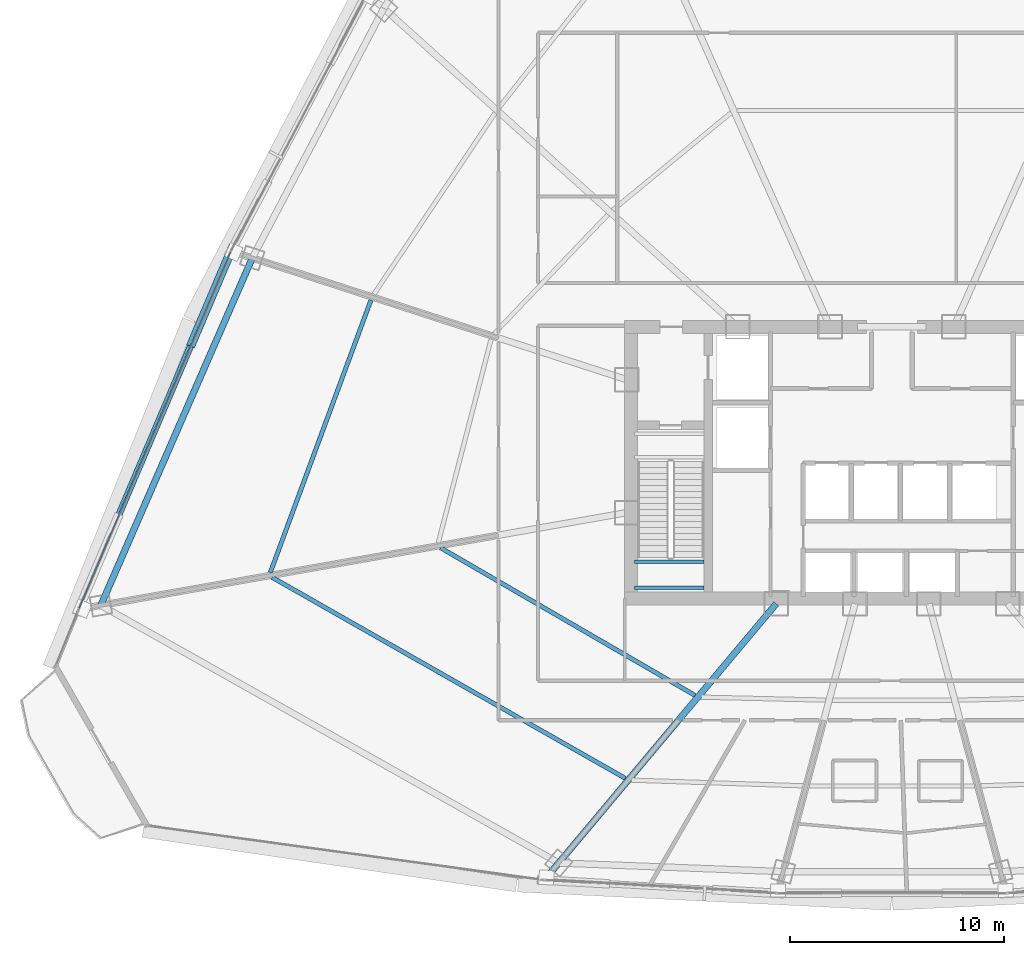
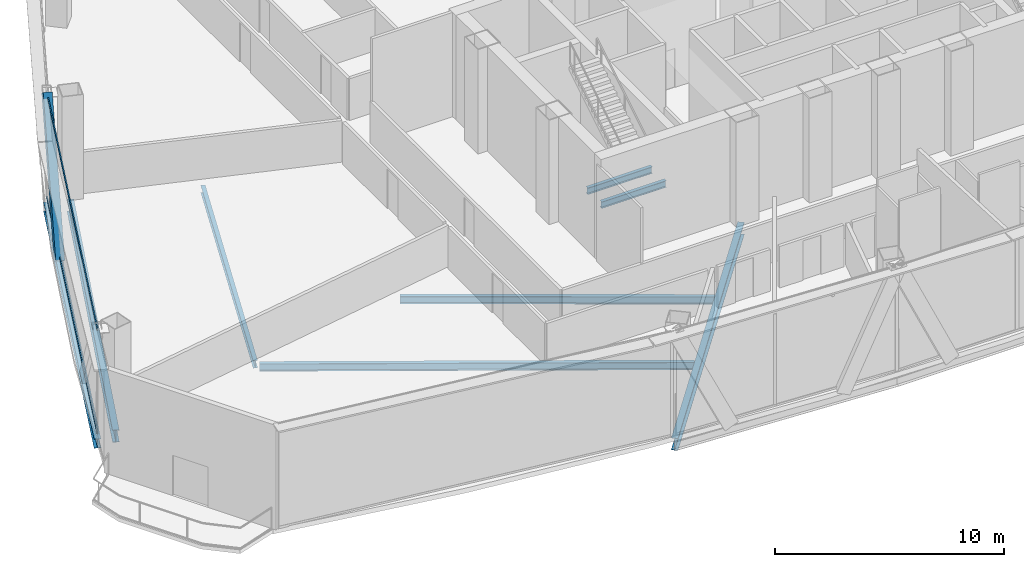
# One storey, part 7 of 40: 8 beams, 3 members, 1 element without a shape of its own.
"""IFC4 building model written with IfcOpenShell, lengths in metres."""

from ifc_helpers import new_model, si_unit, direction, frame, origin, origin_2d, place, context, subcontext, project, spatial, hollow_rectangle, i_section, extrude, source, transform, mapped, material, layer, layer_set, material_profile, profile_set, type_object, element, aggregate, save


model = new_model("IFC4")

# Units and contexts
model_context = context("Model", 3, precision=1e-05, world=origin(), true_north=direction((0.0, 1.0)))
body_context = subcontext(model_context, "Body", "Model", "MODEL_VIEW")
ifc_project = project(units=[si_unit("LENGTHUNIT", "METRE"), si_unit("AREAUNIT", "SQUARE_METRE"), si_unit("VOLUMEUNIT", "CUBIC_METRE"), si_unit("PLANEANGLEUNIT", "RADIAN"), si_unit("MASSUNIT", "GRAM", prefix="KILO"), si_unit("THERMODYNAMICTEMPERATUREUNIT", "KELVIN"), si_unit("POWERUNIT", "WATT")], contexts=[model_context])

# Site, building, storey
site_placement = place(None, origin())
site = spatial("IfcSite", under=ifc_project, at=site_placement, CompositionType="ELEMENT")
building_placement = place(site_placement, origin())
building = spatial("IfcBuilding", under=site, at=building_placement, Name="Yunzhuo Pagoda Commons", CompositionType="ELEMENT")
storey_placement = place(building_placement, frame((0.0, 0.0, 170.31005859375)))
storey = spatial("IfcBuildingStorey", under=building, at=storey_placement, Name="L43", CompositionType="ELEMENT", Elevation=170.31005859375)

# Beams
ifc_material_1 = material(Name="Structural steel Q355B", Category="steel")
ifc_material_profile_1 = material_profile(ifc_material_1, i_section(OverallWidth=0.175048828125, OverallDepth=0.35009765625, WebThickness=0.007080078125, FlangeThickness=0.010986328125, at=origin_2d()), Name="Structural steel Q355B")
ifc_profile_set_1 = profile_set([ifc_material_profile_1], Name="Structural steel Q355B")
beam_type_1 = type_object("IfcBeamType", Name="B-JS2 Joist HN 350x175x7x11", PredefinedType="JOIST", material=ifc_profile_set_1)
shared_shape_1 = source(origin(), body_context, "Body", "SweptSolid", [
    extrude(i_section(OverallWidth=0.175048828125, OverallDepth=0.35009765625, WebThickness=0.007080078125, FlangeThickness=0.010986328125, at=origin_2d()), origin(), (0.0, 0.0, 1.0), 3.25),
])
for number, where, z_axis, x_axis, name in (
    (1, (35.949951171875, 28.0, 2.550048828125), (1.0, 0.0, 0.0), (0.0, 1.0, 0.0), "L43 ST1 landing support beam 49A"),
    (2, (35.949951171875, 29.219970703125, 2.550048828125), (1.0, 0.0, 0.0), (0.0, 1.0, 0.0), "L43 ST1 landing support beam 49B"),
):
    element("IfcBeam", number, at=place(storey_placement, frame(where, z_axis=z_axis, x_axis=x_axis)), inside=storey, type_object=beam_type_1, Name=name, PredefinedType="JOIST", context=body_context, shape_type="MappedRepresentation", body=[
        mapped(shared_shape_1, transform((0.0, 0.0, 0.0), scale=1.0)),
    ])
ifc_material_profile_2 = material_profile(ifc_material_1, i_section(OverallWidth=0.199951171875, OverallDepth=0.39990234375, WebThickness=0.008056640625, FlangeThickness=0.012939453125, at=origin_2d()), Name="Structural steel Q355B")
ifc_profile_set_2 = profile_set([ifc_material_profile_2], Name="Structural steel Q355B")
beam_type_2 = type_object("IfcBeamType", Name="B-JS1 Joist HN 400x200x8x13", PredefinedType="JOIST", material=ifc_profile_set_2)
shared_shape_2 = source(origin(), body_context, "Body", "SweptSolid", [
    extrude(i_section(OverallWidth=0.199951171875, OverallDepth=0.39990234375, WebThickness=0.008056640625, FlangeThickness=0.012939453125, at=origin_2d()), origin(), (0.0, 0.0, 1.0), 13.76416015625),
])
beam_1_placement = place(storey_placement, frame((26.882568359375, 29.87255859375, -0.4599609375), z_axis=(0.864967288101, -0.501828248025, 0.0), x_axis=(0.501828248025, 0.864967288101, 0.0)))
element("IfcBeam", 3, at=beam_1_placement, inside=storey, type_object=beam_type_2, Name="L43 composite ring joist 1.12", PredefinedType="JOIST", context=body_context, shape_type="MappedRepresentation", body=[
    mapped(shared_shape_2, transform((0.0, 0.0, 0.0), scale=1.0)),
])
shared_shape_3 = source(origin(), body_context, "Body", "SweptSolid", [
    extrude(i_section(OverallWidth=0.199951171875, OverallDepth=0.39990234375, WebThickness=0.008056640625, FlangeThickness=0.012939453125, at=origin_2d()), origin(), (0.0, 0.0, 1.0), 19.007568359375),
])
beam_2_placement = place(storey_placement, frame((19.01220703125, 28.485595703125, -0.4599609375), z_axis=(0.869119947472, -0.494601371718, 0.0), x_axis=(0.494601371718, 0.869119947472, 0.0)))
element("IfcBeam", 4, at=beam_2_placement, inside=storey, type_object=beam_type_2, Name="L43 composite ring joist 2.12", PredefinedType="JOIST", context=body_context, shape_type="MappedRepresentation", body=[
    mapped(shared_shape_3, transform((0.0, 0.0, 0.0), scale=1.0)),
])
ifc_material_profile_3 = material_profile(ifc_material_1, i_section(OverallWidth=0.300048828125, OverallDepth=0.64990234375, WebThickness=0.012939453125, FlangeThickness=0.02197265625, at=origin_2d()), Name="Structural steel Q355B")
ifc_profile_set_3 = profile_set([ifc_material_profile_3], Name="Structural steel Q355B")
beam_type_3 = type_object("IfcBeamType", Name="B-RG2 Beam HN 650x300x13x22", PredefinedType="BEAM", material=ifc_profile_set_3)
shared_shape_4 = source(origin(), body_context, "Body", "SweptSolid", [
    extrude(i_section(OverallWidth=0.300048828125, OverallDepth=0.64990234375, WebThickness=0.012939453125, FlangeThickness=0.02197265625, at=origin_2d()), origin(), (0.0, 0.0, 1.0), 17.72021484375),
])
beam_3_placement = place(storey_placement, frame((18.084716796875, 43.420166015625, -0.5849609375), z_axis=(-0.399643307961, -0.916670729544, 0.0), x_axis=(0.916670729544, -0.399643307961, 0.0)))
element("IfcBeam", 5, at=beam_3_placement, inside=storey, type_object=beam_type_3, Name="L43 column-ring beam 11", PredefinedType="BEAM", context=body_context, shape_type="MappedRepresentation", body=[
    mapped(shared_shape_4, transform((0.0, 0.0, 0.0), scale=1.0)),
])
shared_shape_5 = source(origin(), body_context, "Body", "SweptSolid", [
    extrude(i_section(OverallWidth=0.199951171875, OverallDepth=0.39990234375, WebThickness=0.008056640625, FlangeThickness=0.012939453125, at=origin_2d()), origin(), (0.0, 0.0, 1.0), 13.577880859375),
])
beam_4_placement = place(storey_placement, frame((23.634765625, 41.44970703125, -0.4599609375), z_axis=(-0.3465634723, -0.938026523968, 0.0), x_axis=(0.938026523968, -0.3465634723, 0.0)))
element("IfcBeam", 6, at=beam_4_placement, inside=storey, type_object=beam_type_2, Name="L43 composite ring joist 2.11", PredefinedType="JOIST", context=body_context, shape_type="MappedRepresentation", body=[
    mapped(shared_shape_5, transform((0.0, 0.0, 0.0), scale=1.0)),
])
shared_shape_6 = source(origin(), body_context, "Body", "SweptSolid", [
    extrude(i_section(OverallWidth=0.300048828125, OverallDepth=0.64990234375, WebThickness=0.012939453125, FlangeThickness=0.02197265625, at=origin_2d()), origin(), (0.0, 0.0, 1.0), 16.721435546875),
])
beam_5_placement = place(storey_placement, frame((31.839599609375, 14.440673828125, -0.5849609375), z_axis=(0.642787263979, 0.766044733202, 0.0), x_axis=(-0.766044733202, 0.642787263979, 0.0)))
element("IfcBeam", 7, at=beam_5_placement, inside=storey, type_object=beam_type_3, Name="L43 radial floor girder F1C1", PredefinedType="BEAM", context=body_context, shape_type="MappedRepresentation", body=[
    mapped(shared_shape_6, transform((0.0, 0.0, 0.0), scale=1.0)),
])
ifc_material_profile_4 = material_profile(ifc_material_1, i_section(OverallWidth=0.300048828125, OverallDepth=0.488037109375, WebThickness=0.010986328125, FlangeThickness=0.01806640625, at=origin_2d()), Name="Structural steel Q355B")
ifc_profile_set_4 = profile_set([ifc_material_profile_4], Name="Structural steel Q355B")
beam_type_4 = type_object("IfcBeamType", Name="B-SP1 Beam HM 488x300x11x18", PredefinedType="BEAM", material=ifc_profile_set_4)
shared_shape_7 = source(origin(), body_context, "Body", "SweptSolid", [
    extrude(i_section(OverallWidth=0.300048828125, OverallDepth=0.488037109375, WebThickness=0.010986328125, FlangeThickness=0.01806640625, at=origin_2d()), origin(), (0.0, 0.0, 1.0), 18.199951171875),
])
beam_6_placement = place(storey_placement, frame((17.086181640625, 43.74462890625, -0.504150390625), z_axis=(-0.391069626014, -0.920361096314, 0.0), x_axis=(0.920361096314, -0.391069626014, 0.0)))
element("IfcBeam", 8, at=beam_6_placement, inside=storey, type_object=beam_type_4, Name="L43 facade edge spandrel beam F3.3", PredefinedType="BEAM", context=body_context, shape_type="MappedRepresentation", body=[
    mapped(shared_shape_7, transform((0.0, 0.0, 0.0), scale=1.0)),
])

# Member
ifc_material_profile_5 = material_profile(ifc_material_1, hollow_rectangle(XDim=0.39990234375, YDim=0.719970703125, WallThickness=0.02392578125, at=origin_2d()), Name="Structural steel Q355B")
ifc_profile_set_5 = profile_set([ifc_material_profile_5], Name="Structural steel Q355B")
member_type_1 = type_object("IfcMemberType", Name="M-DL2 Brace BOX 720x400x24", PredefinedType="BRACE", material=ifc_profile_set_5)
shared_shape_8 = source(origin(), body_context, "Body", "SweptSolid", [
    extrude(hollow_rectangle(XDim=0.39990234375, YDim=0.719970703125, WallThickness=0.02392578125, at=origin_2d()), origin(), (0.0, 0.0, 1.0), 7.395263671875),
])
member_1_placement = place(storey_placement, frame((15.306884765625, 39.556884765625, -0.260009765625), z_axis=(0.240599214751, 0.566273096956, 0.788318969406), x_axis=(-0.920370027148, 0.391048607116, 0.0)))
element("IfcMember", 9, at=member_1_placement, inside=storey, type_object=member_type_1, Name="L43 facade diamond brace F3.3L", PredefinedType="BRACE", context=body_context, shape_type="MappedRepresentation", body=[
    mapped(shared_shape_8, transform((0.0, 0.0, 0.0), scale=1.0)),
])

# Curtain wall, members
ifc_material_2 = material(Name="Anodized aluminium 6063-T6", Category="aluminium")
ifc_layer = layer(ifc_material_2, 0.14990234375)
ifc_layer_set = layer_set([ifc_layer], Name="Anodized aluminium 6063-T6")
curtain_wall_type = type_object("IfcCurtainWallType", Name="CW-MID Mid-Zone Ribbon Curtain Wall", PredefinedType="NOTDEFINED", material=ifc_layer_set)
curtain_wall_placement = place(storey_placement, origin())
curtain_wall = element("IfcCurtainWall", 10, at=curtain_wall_placement, inside=storey, type_object=curtain_wall_type, Name="L43 curtain wall CW-L43-F3B4", PredefinedType="NOTDEFINED")
ifc_material_profile_6 = material_profile(ifc_material_2, hollow_rectangle(XDim=0.054931640625, YDim=0.1298828125, WallThickness=0.00341796875, at=origin_2d()), Name="Anodized aluminium 6063-T6")
ifc_profile_set_6 = profile_set([ifc_material_profile_6], Name="Anodized aluminium 6063-T6")
member_type_2 = type_object("IfcMemberType", Name="CW-MID-T Transom RHS 130x55x3.5", PredefinedType="USERDEFINED", material=ifc_profile_set_6)
shared_shape_9 = source(origin(), body_context, "Body", "SweptSolid", [
    extrude(hollow_rectangle(XDim=0.054931640625, YDim=0.1298828125, WallThickness=0.00341796875, at=origin_2d()), origin(), (0.0, 0.0, 1.0), 18.079833984375),
])
member_2_placement = place(storey_placement, frame((17.062744140625, 43.689453125, 0.02734375), z_axis=(-0.391058860583, -0.920365670568, 0.0), x_axis=(0.920365670568, -0.391058860583, 0.0)))
member_2 = element("IfcMember", 11, at=member_2_placement, type_object=member_type_2, Name="CW transom 1.1", ObjectType="TRANSOM", PredefinedType="USERDEFINED", context=body_context, shape_type="MappedRepresentation", body=[
    mapped(shared_shape_9, transform((0.0, 0.0, 0.0), scale=1.0)),
])
member_3_placement = place(storey_placement, frame((17.062744140625, 43.689453125, 5.54248046875), z_axis=(-0.391058860583, -0.920365670568, 0.0), x_axis=(0.920365670568, -0.391058860583, 0.0)))
member_3 = element("IfcMember", 12, at=member_3_placement, type_object=member_type_2, Name="CW transom 1.2", ObjectType="TRANSOM", PredefinedType="USERDEFINED", context=body_context, shape_type="MappedRepresentation", body=[
    mapped(shared_shape_9, transform((0.0, 0.0, 0.0), scale=1.0)),
])
aggregate(curtain_wall, [member_2, member_3])

save(model, "model.ifc")
